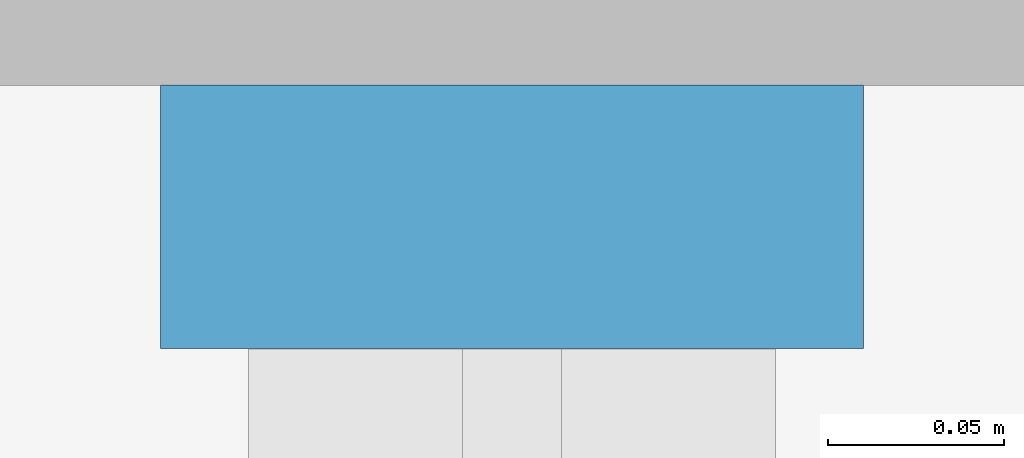
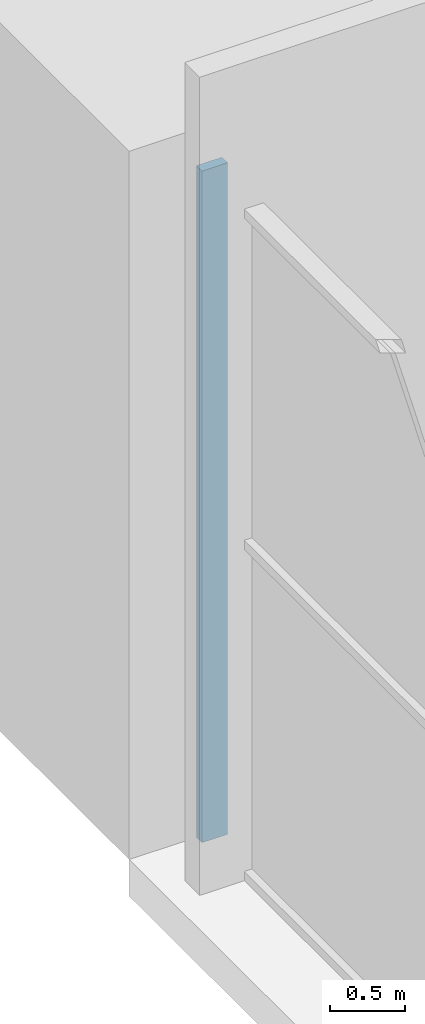
# One storey, part 8 of 45: 1 member, 1 element without a shape of its own.
"""IFC4 building model written with IfcOpenShell, lengths in metres."""

from ifc_helpers import new_model, si_unit, direction, frame, origin, origin_2d, place, context, subcontext, project, spatial, rectangle, extrude, material, layer, layer_set, material_profile, profile_set, type_object, element, aggregate, save


model = new_model("IFC4")

# Units and contexts
model_context = context("Model", 3, precision=1e-05, world=origin(), true_north=direction((0.0, 1.0)))
body_context = subcontext(model_context, "Body", "Model", "MODEL_VIEW")
ifc_project = project(units=[si_unit("LENGTHUNIT", "METRE"), si_unit("AREAUNIT", "SQUARE_METRE"), si_unit("VOLUMEUNIT", "CUBIC_METRE"), si_unit("PLANEANGLEUNIT", "RADIAN"), si_unit("MASSUNIT", "GRAM", prefix="KILO")], contexts=[model_context])

# Site, building, storey
site_placement = place(None, origin())
site = spatial("IfcSite", under=ifc_project, at=site_placement, CompositionType="ELEMENT")
building_placement = place(site_placement, origin())
building = spatial("IfcBuilding", under=site, at=building_placement, Name="Corbelhall Arena Tower", CompositionType="ELEMENT")
storey_placement = place(building_placement, frame((0.0, 0.0, 37.0)))
storey = spatial("IfcBuildingStorey", under=building, at=storey_placement, Name="L05", CompositionType="ELEMENT", Elevation=37.0)

# Curtain wall, member
ifc_material = material(Name="Aluminium black anodised", Category="aluminium")
ifc_layer = layer(ifc_material, 0.239990234375)
ifc_layer_set = layer_set([ifc_layer], Name="EV-CW4 Arena concourse glazing")
curtain_wall_type = type_object("IfcCurtainWallType", Name="EV-CW4 Arena concourse glazing", PredefinedType="NOTDEFINED", material=ifc_layer_set)
curtain_wall_placement = place(storey_placement, origin())
curtain_wall = element("IfcCurtainWall", 1, at=curtain_wall_placement, inside=storey, type_object=curtain_wall_type, Name="Curtain wall CW4", PredefinedType="NOTDEFINED")
ifc_material_profile = material_profile(ifc_material, rectangle(XDim=0.199951171875, YDim=0.074951171875, at=origin_2d()))
ifc_profile_set = profile_set([ifc_material_profile], Name="Aluminium black anodised")
member_type = type_object("IfcMemberType", Name="EV-CW4-MULLION", PredefinedType="MULLION", material=ifc_profile_set)
member_placement = place(storey_placement, frame((-47.3798828125, -1.83740234375, 0.0), z_axis=(0.0, 0.0, 1.0), x_axis=(1.0, 0.0, 0.0)))
member = element("IfcMember", 2, at=member_placement, type_object=member_type, Name="CW4 mullion 1", PredefinedType="MULLION", context=body_context, shape_type="SweptSolid", body=[
    extrude(rectangle(XDim=0.199951171875, YDim=0.074951171875, at=origin_2d()), origin(), (0.0, 0.0, 1.0), 5.5),
])
aggregate(curtain_wall, [member])

save(model, "model.ifc")
